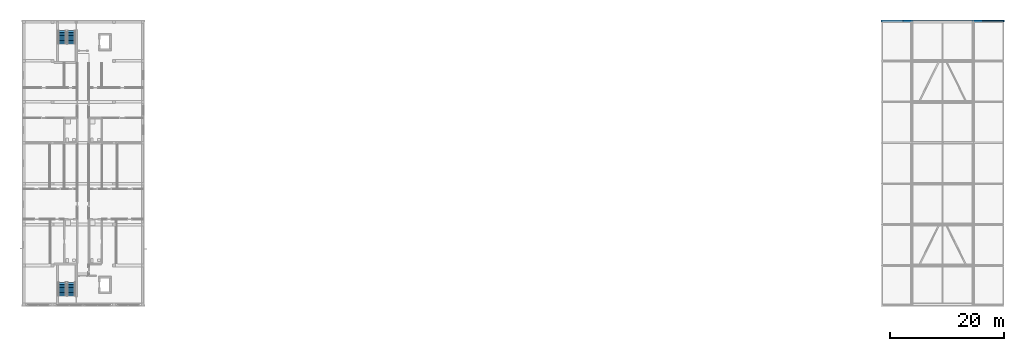
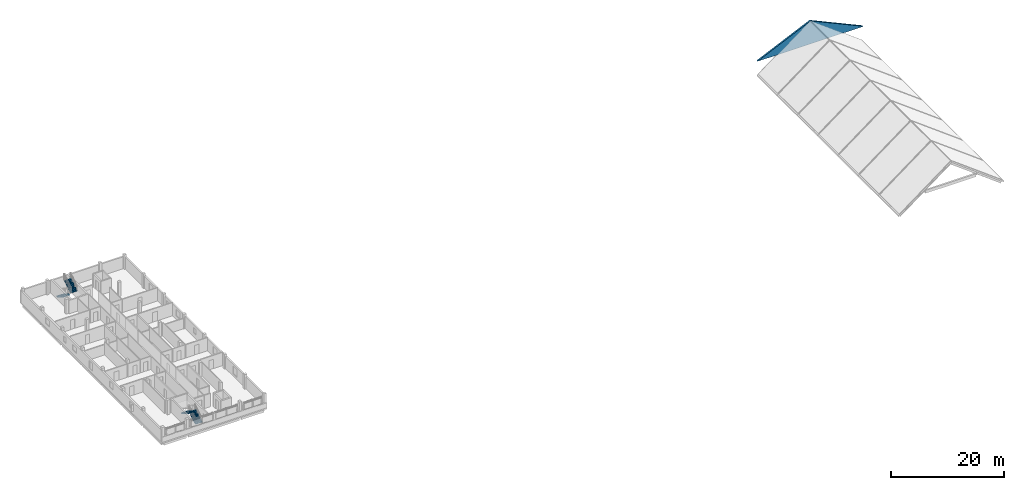
# One storey, part 9 of 16: 4 stair flights, 1 wall, 2 elements without a shape of their own.
"""IFC4 building model written with IfcOpenShell, lengths in metres."""

from ifc_helpers import new_model, si_unit, derived_unit, direction, frame, origin, place, context, subcontext, project, spatial, polyline, outline, extrude, material, layer, layer_set, type_object, element, aggregate, save


model = new_model("IFC4")

# Units and contexts
model_context = context("Model", 3, precision=1e-05, world=origin(), true_north=direction((0.0, 1.0)))
body_context = subcontext(model_context, "Body", "Model", "MODEL_VIEW")
ifc_project = project(units=[si_unit("LENGTHUNIT", "METRE"), si_unit("AREAUNIT", "SQUARE_METRE"), si_unit("VOLUMEUNIT", "CUBIC_METRE"), si_unit("PLANEANGLEUNIT", "RADIAN"), si_unit("MASSUNIT", "GRAM", prefix="KILO"), derived_unit("THERMALTRANSMITTANCEUNIT", [(si_unit("MASSUNIT", "GRAM", prefix="KILO"), 1), (si_unit("TIMEUNIT", "SECOND"), -3), (si_unit("THERMODYNAMICTEMPERATUREUNIT", "KELVIN"), -1)])], contexts=[model_context])

# Site, building, storey
site_placement = place(None, origin())
site = spatial("IfcSite", under=ifc_project, at=site_placement, CompositionType="ELEMENT")
building_placement = place(site_placement, origin())
building = spatial("IfcBuilding", under=site, at=building_placement, Name="Ochrekiln Boulevard Commons", CompositionType="ELEMENT")
storey_placement = place(building_placement, frame((0.0, 0.0, 43.574951171875)))
storey = spatial("IfcBuildingStorey", under=building, at=storey_placement, Name="L13", CompositionType="ELEMENT", Elevation=43.574951171875)

# Wall
ifc_material_1 = material(Name="Iron-spot brown clinker brick masonry ASTM C216 Grade SW", Category="masonry")
ifc_layer = layer(ifc_material_1, 0.340087890625)
ifc_layer_set = layer_set([ifc_layer], Name="Iron-spot brown clinker brick masonry ASTM C216 Grade SW")
wall_type = type_object("IfcWallType", Name="WL-EXT-IRON-340", PredefinedType="SOLIDWALL", material=ifc_layer_set)
wall_placement = place(storey_placement, frame((151.199951171875, 118.639892578125, -0.599853515625), z_axis=(0.0, 0.0, 1.0), x_axis=(1.0, 0.0, 0.0)))
element("IfcWall", 1, at=wall_placement, inside=storey, type_object=wall_type, Name="Block B Street Gable Peak Masonry Wall", PredefinedType="SOLIDWALL", context=body_context, shape_type="SweptSolid", body=[
    extrude(outline(polyline([(0.0, 0.0), (21.60009765625, 0.0), (21.60009765625, 0.0498046875), (10.800048828125, 5.0), (0.0, 0.0498046875), (0.0, 0.0)])), frame((0.0, 0.16015625, 0.0), z_axis=(0.0, -1.0, 0.0), x_axis=(1.0, 0.0, 0.0)), (0.0, 0.0, 1.0), 0.320068359375),
])

# Stair, stair flights
ifc_material_2 = material(Name="Concrete C35/45", Category="concrete")
stair_type = type_object("IfcStairType", Name="STR-DL-315", PredefinedType="TWO_STRAIGHT_RUN_STAIR", material=ifc_material_2)
stair_1_placement = place(storey_placement, origin())
stair_1 = element("IfcStair", 2, at=stair_1_placement, inside=storey, type_object=stair_type, Name="L13 Enclosed Exit Stair ST-A1", PredefinedType="TWO_STRAIGHT_RUN_STAIR")
stair_flight_type = type_object("IfcStairFlightType", Name="SFL-ST-315", PredefinedType="STRAIGHT", material=ifc_material_2)
stair_flight_1_placement = place(storey_placement, frame((8.699951171875, 70.27001953125, 0.0), z_axis=(0.0, 0.0, 1.0), x_axis=(0.0, 1.0, 0.0)))
stair_flight_1 = element("IfcStairFlight", 3, at=stair_flight_1_placement, type_object=stair_flight_type, Name="ST-A1 flight 1", NumberOfRisers=9, NumberOfTreads=8, PredefinedType="STRAIGHT", RiserHeight=0.175, TreadLength=0.29, context=body_context, shape_type="SweptSolid", body=[
    extrude(outline(polyline([(0.0, 0.0), (0.0, 0.175048828125), (0.2900390625, 0.175048828125), (0.2900390625, 0.35009765625), (0.580078125, 0.35009765625), (0.580078125, 0.52490234375), (0.8701171875, 0.52490234375), (0.8701171875, 0.699951171875), (1.159912109375, 0.699951171875), (1.159912109375, 0.875), (1.449951171875, 0.875), (1.449951171875, 1.050048828125), (1.739990234375, 1.050048828125), (1.739990234375, 1.22509765625), (2.030029296875, 1.22509765625), (2.030029296875, 1.39990234375), (2.320068359375, 1.39990234375), (2.320068359375, 1.574951171875), (2.320068359375, 1.213134765625), (0.3095703125, 0.0), (0.0, 0.0)])), frame((0.0, 0.699951171875, 0.0), z_axis=(0.0, -1.0, 0.0), x_axis=(1.0, 0.0, 0.0)), (0.0, 0.0, 1.0), 1.39990234375),
])
stair_flight_2_placement = place(storey_placement, frame((7.10009765625, 72.590087890625, 1.574951171875), z_axis=(0.0, 0.0, 1.0), x_axis=(0.0, -1.0, 0.0)))
stair_flight_2 = element("IfcStairFlight", 4, at=stair_flight_2_placement, type_object=stair_flight_type, Name="ST-A1 flight 2", NumberOfRisers=9, NumberOfTreads=8, PredefinedType="STRAIGHT", RiserHeight=0.175, TreadLength=0.29, context=body_context, shape_type="SweptSolid", body=[
    extrude(outline(polyline([(0.0, 0.0), (0.0, 0.175048828125), (0.2900390625, 0.175048828125), (0.2900390625, 0.35009765625), (0.580078125, 0.35009765625), (0.580078125, 0.52490234375), (0.8701171875, 0.52490234375), (0.8701171875, 0.699951171875), (1.159912109375, 0.699951171875), (1.159912109375, 0.875), (1.449951171875, 0.875), (1.449951171875, 1.050048828125), (1.739990234375, 1.050048828125), (1.739990234375, 1.22509765625), (2.030029296875, 1.22509765625), (2.030029296875, 1.39990234375), (2.320068359375, 1.39990234375), (2.320068359375, 1.574951171875), (2.320068359375, 1.213134765625), (0.3095703125, 0.0), (0.0, 0.0)])), frame((0.0, 0.699951171875, 0.0), z_axis=(0.0, -1.0, 0.0), x_axis=(1.0, 0.0, 0.0)), (0.0, 0.0, 1.0), 1.39990234375),
])
aggregate(stair_1, [stair_flight_1, stair_flight_2])

stair_2_placement = place(storey_placement, origin())
stair_2 = element("IfcStair", 5, at=stair_2_placement, inside=storey, type_object=stair_type, Name="L13 Enclosed Exit Stair ST-A2", PredefinedType="TWO_STRAIGHT_RUN_STAIR")
stair_flight_3_placement = place(storey_placement, frame((7.10009765625, 116.929931640625, 0.0), z_axis=(0.0, 0.0, 1.0), x_axis=(0.0, -1.0, 0.0)))
stair_flight_3 = element("IfcStairFlight", 6, at=stair_flight_3_placement, type_object=stair_flight_type, Name="ST-A2 flight 1", NumberOfRisers=9, NumberOfTreads=8, PredefinedType="STRAIGHT", RiserHeight=0.175, TreadLength=0.29, context=body_context, shape_type="SweptSolid", body=[
    extrude(outline(polyline([(0.0, 0.0), (0.0, 0.175048828125), (0.2900390625, 0.175048828125), (0.2900390625, 0.35009765625), (0.580078125, 0.35009765625), (0.580078125, 0.52490234375), (0.8701171875, 0.52490234375), (0.8701171875, 0.699951171875), (1.159912109375, 0.699951171875), (1.159912109375, 0.875), (1.449951171875, 0.875), (1.449951171875, 1.050048828125), (1.739990234375, 1.050048828125), (1.739990234375, 1.22509765625), (2.030029296875, 1.22509765625), (2.030029296875, 1.39990234375), (2.320068359375, 1.39990234375), (2.320068359375, 1.574951171875), (2.320068359375, 1.213134765625), (0.3095703125, 0.0), (0.0, 0.0)])), frame((0.0, 0.699951171875, 0.0), z_axis=(0.0, -1.0, 0.0), x_axis=(1.0, 0.0, 0.0)), (0.0, 0.0, 1.0), 1.39990234375),
])
stair_flight_4_placement = place(storey_placement, frame((8.699951171875, 114.610107421875, 1.574951171875), z_axis=(0.0, 0.0, 1.0), x_axis=(0.0, 1.0, 0.0)))
stair_flight_4 = element("IfcStairFlight", 7, at=stair_flight_4_placement, type_object=stair_flight_type, Name="ST-A2 flight 2", NumberOfRisers=9, NumberOfTreads=8, PredefinedType="STRAIGHT", RiserHeight=0.175, TreadLength=0.29, context=body_context, shape_type="SweptSolid", body=[
    extrude(outline(polyline([(0.0, 0.0), (0.0, 0.175048828125), (0.2900390625, 0.175048828125), (0.2900390625, 0.35009765625), (0.580078125, 0.35009765625), (0.580078125, 0.52490234375), (0.8701171875, 0.52490234375), (0.8701171875, 0.699951171875), (1.159912109375, 0.699951171875), (1.159912109375, 0.875), (1.449951171875, 0.875), (1.449951171875, 1.050048828125), (1.739990234375, 1.050048828125), (1.739990234375, 1.22509765625), (2.030029296875, 1.22509765625), (2.030029296875, 1.39990234375), (2.320068359375, 1.39990234375), (2.320068359375, 1.574951171875), (2.320068359375, 1.213134765625), (0.3095703125, 0.0), (0.0, 0.0)])), frame((0.0, 0.699951171875, 0.0), z_axis=(0.0, -1.0, 0.0), x_axis=(1.0, 0.0, 0.0)), (0.0, 0.0, 1.0), 1.39990234375),
])
aggregate(stair_2, [stair_flight_3, stair_flight_4])

save(model, "model.ifc")
